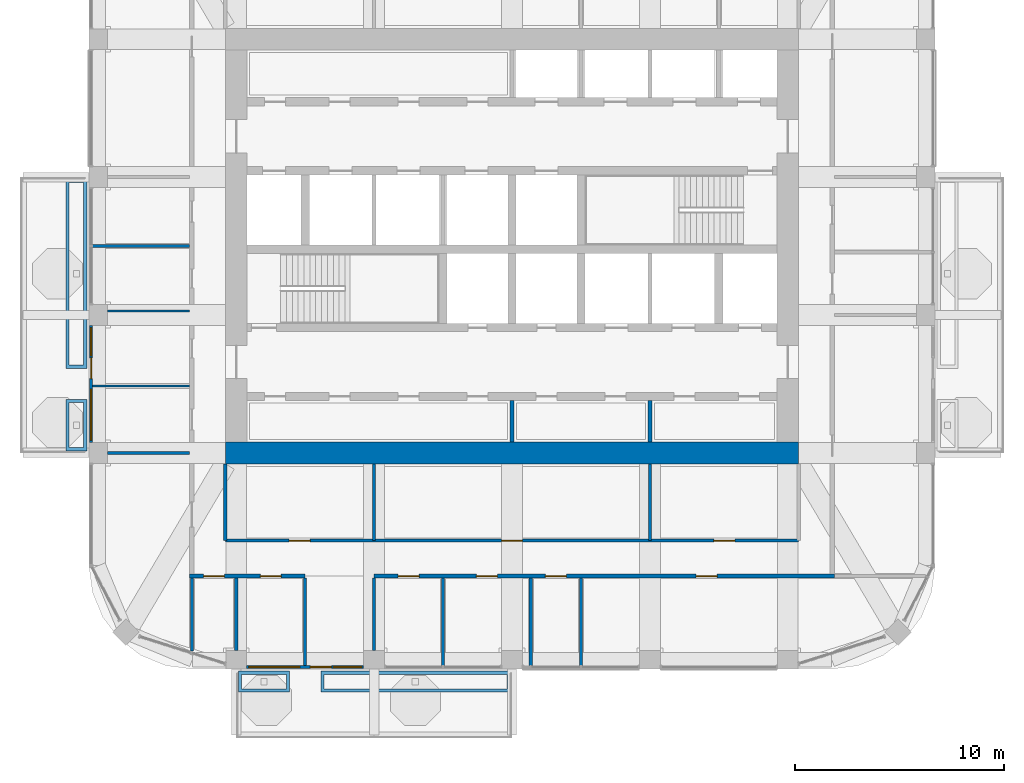
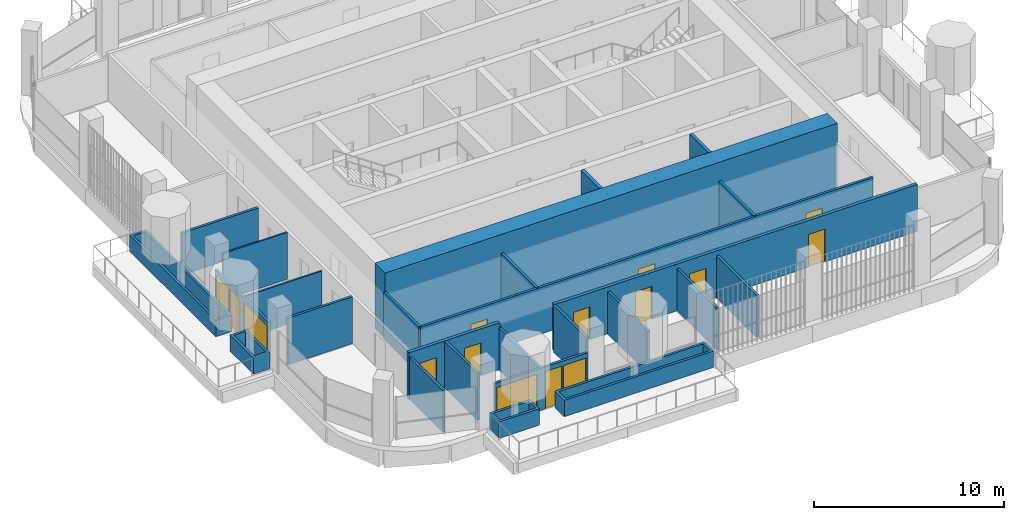
# One storey, part 12 of 19: 26 walls, 11 doors, 4 windows, 15 openings.
"""IFC4 building model written with IfcOpenShell, lengths in metres."""

from ifc_helpers import new_model, si_unit, direction, frame, frame_2d, origin, place, context, subcontext, project, spatial, polyline, rectangle, outline, extrude, material, layer, layer_set, type_object, element, fill, save


model = new_model("IFC4")

# Units and contexts
model_context = context("Model", 3, precision=1e-05, world=origin(), true_north=direction((0.0, 1.0)))
body_context = subcontext(model_context, "Body", "Model", "MODEL_VIEW")
ifc_project = project(units=[si_unit("LENGTHUNIT", "METRE"), si_unit("AREAUNIT", "SQUARE_METRE"), si_unit("VOLUMEUNIT", "CUBIC_METRE"), si_unit("PLANEANGLEUNIT", "RADIAN"), si_unit("MASSUNIT", "GRAM", prefix="KILO")], contexts=[model_context])

# Site, building, storey
site_placement = place(None, origin())
site = spatial("IfcSite", under=ifc_project, at=site_placement, CompositionType="ELEMENT")
building_placement = place(site_placement, origin())
building = spatial("IfcBuilding", under=site, at=building_placement, Name="Cobogo Forest Laboratory Tower", CompositionType="ELEMENT")
storey_placement = place(building_placement, frame((0.0, 0.0, 262.800048828125)))
storey = spatial("IfcBuildingStorey", under=building, at=storey_placement, Name="L60", CompositionType="ELEMENT", Elevation=262.800048828125)

# Wall
ifc_material_1 = material(Name="Concrete HA-50 (C50/60)", Category="concrete")
ifc_layer_1 = layer(ifc_material_1, 1.050048828125)
ifc_layer_set_1 = layer_set([ifc_layer_1], Name="CW1050 core outer wall 1050")
wall_type_1 = type_object("IfcWallType", Name="CW1050 core outer wall 1050", PredefinedType="SHEAR", material=ifc_layer_set_1)
wall_1_placement = place(storey_placement, frame((12.675048828125, 13.199951171875, 0.0), z_axis=(0.0, 0.0, 1.0), x_axis=(1.0, 0.0, 0.0)))
element("IfcWall", 1, at=wall_1_placement, inside=storey, type_object=wall_type_1, Name="Core wall CO-S L60", PredefinedType="SHEAR", context=body_context, shape_type="SweptSolid", body=[
    extrude(rectangle(XDim=27.449951171875, YDim=1.050048828125, at=frame_2d((13.72509765625, 0.0))), origin(), (0.0, 0.0, 1.0), 4.199951171875),
])

# Wall, openings, door, windows
ifc_material_2 = material(Name="Aluminium framed glazed screen", Category="aluminium")
ifc_layer_2 = layer(ifc_material_2, 0.14990234375)
ifc_layer_set_2 = layer_set([ifc_layer_2], Name="GS1 glazed door screen 150")
wall_type_2 = type_object("IfcWallType", Name="GS1 glazed door screen 150", PredefinedType="SOLIDWALL", material=ifc_layer_set_2)
wall_2_placement = place(storey_placement, frame((13.699951171875, 2.949951171875, 0.0), z_axis=(0.0, 0.0, 1.0), x_axis=(1.0, 0.0, 0.0)))
wall_2 = element("IfcWall", 2, at=wall_2_placement, inside=storey, type_object=wall_type_2, Name="Door screen BAL-S1 L60", PredefinedType="SOLIDWALL", context=body_context, shape_type="SweptSolid", body=[
    extrude(rectangle(XDim=5.60009765625, YDim=0.14990234375, at=frame_2d((2.800048828125, 0.0))), origin(), (0.0, 0.0, 1.0), 2.699951171875),
])
opening_1_placement = place(wall_2_placement, frame((3.050048828125, 0.0, 0.0)))
opening_1 = element("IfcOpeningElement", 3, at=opening_1_placement, cuts=wall_2, Name="Opening L60-D01", PredefinedType="OPENING", context=body_context, shape_type="SweptSolid", body=[
    extrude(rectangle(XDim=1.0, YDim=2.39990234375, at=frame_2d((0.5, 1.199951171875))), frame((0.0, 0.0849609375, 0.0), z_axis=(0.0, -1.0, 0.0), x_axis=(1.0, 0.0, 0.0)), (0.0, 0.0, 1.0), 0.169921875),
])
opening_2_placement = place(wall_2_placement, frame((0.10009765625, 0.0, 0.10009765625)))
opening_2 = element("IfcOpeningElement", 4, at=opening_2_placement, cuts=wall_2, Name="Opening L60-W01", PredefinedType="OPENING", context=body_context, shape_type="SweptSolid", body=[
    extrude(rectangle(XDim=2.449951171875, YDim=2.300048828125, at=frame_2d((1.22509765625, 1.14990234375))), frame((0.0, 0.0849609375, 0.0), z_axis=(0.0, -1.0, 0.0), x_axis=(1.0, 0.0, 0.0)), (0.0, 0.0, 1.0), 0.169921875),
])
opening_3_placement = place(wall_2_placement, frame((4.14990234375, 0.0, 0.10009765625)))
opening_3 = element("IfcOpeningElement", 5, at=opening_3_placement, cuts=wall_2, Name="Opening L60-W02", PredefinedType="OPENING", context=body_context, shape_type="SweptSolid", body=[
    extrude(rectangle(XDim=1.35009765625, YDim=2.300048828125, at=frame_2d((0.675048828125, 1.14990234375))), frame((0.0, 0.0849609375, 0.0), z_axis=(0.0, -1.0, 0.0), x_axis=(1.0, 0.0, 0.0)), (0.0, 0.0, 1.0), 0.169921875),
])
ifc_material_3 = material(Name="Aluminium glazed door", Category="aluminium")
door_type_1 = type_object("IfcDoorType", Name="DB1 balcony door 1000 glazed", OperationType="SINGLE_SWING_LEFT", PredefinedType="DOOR", material=ifc_material_3)
door_1_placement = place(opening_1_placement, origin())
door_1 = element("IfcDoor", 6, at=door_1_placement, inside=storey, type_object=door_type_1, Name="Door L60-BAL-S1", OperationType="SINGLE_SWING_RIGHT", OverallHeight=2.39990234375, OverallWidth=1.0, PredefinedType="DOOR", context=body_context, shape_type="SweptSolid", body=[
    extrude(rectangle(XDim=1.0, YDim=2.39990234375, at=frame_2d((0.5, 1.199951171875))), frame((0.0, 0.02490234375, 0.0), z_axis=(0.0, -1.0, 0.0), x_axis=(1.0, 0.0, 0.0)), (0.0, 0.0, 1.0), 0.050048828125),
])
fill(opening_1, door_1)
ifc_material_4 = material(Name="Aluminium framed glazing", Category="aluminium")
window_type_1 = type_object("IfcWindowType", Name="WG23 fixed glazed light 2450x2300", PartitioningType="SINGLE_PANEL", PredefinedType="WINDOW", material=ifc_material_4)
window_1_placement = place(opening_2_placement, origin())
window_1 = element("IfcWindow", 7, at=window_1_placement, inside=storey, type_object=window_type_1, Name="Window L60-BAL-S1-1", OverallHeight=2.300048828125, OverallWidth=2.449951171875, PartitioningType="SINGLE_PANEL", PredefinedType="WINDOW", context=body_context, shape_type="SweptSolid", body=[
    extrude(rectangle(XDim=2.449951171875, YDim=2.300048828125, at=frame_2d((1.22509765625, 1.14990234375))), frame((0.0, 0.030029296875, 0.0), z_axis=(0.0, -1.0, 0.0), x_axis=(1.0, 0.0, 0.0)), (0.0, 0.0, 1.0), 0.06005859375),
])
fill(opening_2, window_1)
window_type_2 = type_object("IfcWindowType", Name="WG24 fixed glazed light 1350x2300", PartitioningType="SINGLE_PANEL", PredefinedType="WINDOW", material=ifc_material_4)
window_2_placement = place(opening_3_placement, origin())
window_2 = element("IfcWindow", 8, at=window_2_placement, inside=storey, type_object=window_type_2, Name="Window L60-BAL-S1-2", OverallHeight=2.300048828125, OverallWidth=1.35009765625, PartitioningType="SINGLE_PANEL", PredefinedType="WINDOW", context=body_context, shape_type="SweptSolid", body=[
    extrude(rectangle(XDim=1.35009765625, YDim=2.300048828125, at=frame_2d((0.675048828125, 1.14990234375))), frame((0.0, 0.030029296875, 0.0), z_axis=(0.0, -1.0, 0.0), x_axis=(1.0, 0.0, 0.0)), (0.0, 0.0, 1.0), 0.06005859375),
])
fill(opening_3, window_2)

wall_3_placement = place(storey_placement, frame((6.25, 19.300048828125, 0.0), z_axis=(0.0, 0.0, 1.0), x_axis=(0.0, -1.0, 0.0)))
wall_3 = element("IfcWall", 9, at=wall_3_placement, inside=storey, type_object=wall_type_2, Name="Door screen BAL-W1 L60", PredefinedType="SOLIDWALL", context=body_context, shape_type="SweptSolid", body=[
    extrude(rectangle(XDim=5.60009765625, YDim=0.14990234375, at=frame_2d((2.800048828125, 0.0))), origin(), (0.0, 0.0, 1.0), 2.699951171875),
])
opening_4_placement = place(wall_3_placement, frame((1.550048828125, 0.0, 0.0)))
opening_4 = element("IfcOpeningElement", 10, at=opening_4_placement, cuts=wall_3, Name="Opening L60-D22", PredefinedType="OPENING", context=body_context, shape_type="SweptSolid", body=[
    extrude(rectangle(XDim=1.0, YDim=2.39990234375, at=frame_2d((0.5, 1.199951171875))), frame((0.0, 0.0849609375, 0.0), z_axis=(0.0, -1.0, 0.0), x_axis=(1.0, 0.0, 0.0)), (0.0, 0.0, 1.0), 0.169921875),
])
opening_5_placement = place(wall_3_placement, frame((0.10009765625, 0.0, 0.10009765625)))
opening_5 = element("IfcOpeningElement", 11, at=opening_5_placement, cuts=wall_3, Name="Opening L60-W05", PredefinedType="OPENING", context=body_context, shape_type="SweptSolid", body=[
    extrude(rectangle(XDim=1.35009765625, YDim=2.300048828125, at=frame_2d((0.675048828125, 1.14990234375))), frame((0.0, 0.0849609375, 0.0), z_axis=(0.0, -1.0, 0.0), x_axis=(1.0, 0.0, 0.0)), (0.0, 0.0, 1.0), 0.169921875),
])
opening_6_placement = place(wall_3_placement, frame((3.050048828125, 0.0, 0.10009765625)))
opening_6 = element("IfcOpeningElement", 12, at=opening_6_placement, cuts=wall_3, Name="Opening L60-W03", PredefinedType="OPENING", context=body_context, shape_type="SweptSolid", body=[
    extrude(rectangle(XDim=2.449951171875, YDim=2.300048828125, at=frame_2d((1.22509765625, 1.14990234375))), frame((0.0, 0.0849609375, 0.0), z_axis=(0.0, -1.0, 0.0), x_axis=(1.0, 0.0, 0.0)), (0.0, 0.0, 1.0), 0.169921875),
])
door_2_placement = place(opening_4_placement, origin())
door_2 = element("IfcDoor", 13, at=door_2_placement, inside=storey, type_object=door_type_1, Name="Door L60-BAL-W1", OperationType="SINGLE_SWING_LEFT", OverallHeight=2.39990234375, OverallWidth=1.0, PredefinedType="DOOR", context=body_context, shape_type="SweptSolid", body=[
    extrude(rectangle(XDim=1.0, YDim=2.39990234375, at=frame_2d((0.5, 1.199951171875))), frame((0.0, 0.02490234375, 0.0), z_axis=(0.0, -1.0, 0.0), x_axis=(1.0, 0.0, 0.0)), (0.0, 0.0, 1.0), 0.050048828125),
])
fill(opening_4, door_2)
window_3_placement = place(opening_6_placement, origin())
window_3 = element("IfcWindow", 14, at=window_3_placement, inside=storey, type_object=window_type_1, Name="Window L60-BAL-W1-2", OverallHeight=2.300048828125, OverallWidth=2.449951171875, PartitioningType="SINGLE_PANEL", PredefinedType="WINDOW", context=body_context, shape_type="SweptSolid", body=[
    extrude(rectangle(XDim=2.449951171875, YDim=2.300048828125, at=frame_2d((1.22509765625, 1.14990234375))), frame((0.0, 0.030029296875, 0.0), z_axis=(0.0, -1.0, 0.0), x_axis=(1.0, 0.0, 0.0)), (0.0, 0.0, 1.0), 0.06005859375),
])
fill(opening_6, window_3)
window_4_placement = place(opening_5_placement, origin())
window_4 = element("IfcWindow", 15, at=window_4_placement, inside=storey, type_object=window_type_2, Name="Window L60-BAL-W1-1", OverallHeight=2.300048828125, OverallWidth=1.35009765625, PartitioningType="SINGLE_PANEL", PredefinedType="WINDOW", context=body_context, shape_type="SweptSolid", body=[
    extrude(rectangle(XDim=1.35009765625, YDim=2.300048828125, at=frame_2d((0.675048828125, 1.14990234375))), frame((0.0, 0.030029296875, 0.0), z_axis=(0.0, -1.0, 0.0), x_axis=(1.0, 0.0, 0.0)), (0.0, 0.0, 1.0), 0.06005859375),
])
fill(opening_5, window_4)

# Wall, openings, doors
ifc_material_5 = material(Name="Gypsum board on steel studs", Category="steel")
ifc_layer_3 = layer(ifc_material_5, 0.14990234375)
ifc_layer_set_3 = layer_set([ifc_layer_3], Name="PT1 laboratory partition 150")
wall_type_3 = type_object("IfcWallType", Name="PT1 laboratory partition 150", PredefinedType="PARTITIONING", material=ifc_layer_set_3)
wall_4_placement = place(storey_placement, frame((12.675048828125, 9.0, 0.0), z_axis=(0.0, 0.0, 1.0), x_axis=(1.0, 0.0, 0.0)))
wall_4 = element("IfcWall", 16, at=wall_4_placement, inside=storey, type_object=wall_type_3, Name="Partition CSTRIP-S L60", PredefinedType="PARTITIONING", context=body_context, shape_type="SweptSolid", body=[
    extrude(rectangle(XDim=27.449951171875, YDim=0.14990234375, at=frame_2d((13.72509765625, 0.0))), origin(), (0.0, 0.0, 1.0), 3.0),
])
opening_7_placement = place(wall_4_placement, frame((3.0625, 0.0, 0.0)))
opening_7 = element("IfcOpeningElement", 17, at=opening_7_placement, cuts=wall_4, Name="Opening L60-D08", PredefinedType="OPENING", context=body_context, shape_type="SweptSolid", body=[
    extrude(rectangle(XDim=1.0, YDim=2.10009765625, at=frame_2d((0.5, 1.050048828125))), frame((0.0, 0.0849609375, 0.0), z_axis=(0.0, -1.0, 0.0), x_axis=(1.0, 0.0, 0.0)), (0.0, 0.0, 1.0), 0.169921875),
])
opening_8_placement = place(wall_4_placement, frame((13.22509765625, 0.0, 0.0)))
opening_8 = element("IfcOpeningElement", 18, at=opening_8_placement, cuts=wall_4, Name="Opening L60-D09", PredefinedType="OPENING", context=body_context, shape_type="SweptSolid", body=[
    extrude(rectangle(XDim=1.0, YDim=2.10009765625, at=frame_2d((0.5, 1.050048828125))), frame((0.0, 0.0849609375, 0.0), z_axis=(0.0, -1.0, 0.0), x_axis=(1.0, 0.0, 0.0)), (0.0, 0.0, 1.0), 0.169921875),
])
opening_9_placement = place(wall_4_placement, frame((23.387451171875, 0.0, 0.0)))
opening_9 = element("IfcOpeningElement", 19, at=opening_9_placement, cuts=wall_4, Name="Opening L60-D10", PredefinedType="OPENING", context=body_context, shape_type="SweptSolid", body=[
    extrude(rectangle(XDim=1.0, YDim=2.10009765625, at=frame_2d((0.5, 1.050048828125))), frame((0.0, 0.0849609375, 0.0), z_axis=(0.0, -1.0, 0.0), x_axis=(1.0, 0.0, 0.0)), (0.0, 0.0, 1.0), 0.169921875),
])
ifc_material_6 = material(Name="Timber fire door", Category="wood")
door_type_2 = type_object("IfcDoorType", Name="FD2 fire door 1000 EI2 30", OperationType="SINGLE_SWING_LEFT", PredefinedType="DOOR", material=ifc_material_6)
door_3_placement = place(opening_7_placement, origin())
door_3 = element("IfcDoor", 20, at=door_3_placement, inside=storey, type_object=door_type_2, Name="Door L60-CSS1", OperationType="SINGLE_SWING_LEFT", OverallHeight=2.10009765625, OverallWidth=1.0, PredefinedType="DOOR", context=body_context, shape_type="SweptSolid", body=[
    extrude(rectangle(XDim=1.0, YDim=2.10009765625, at=frame_2d((0.5, 1.050048828125))), frame((0.0, 0.02490234375, 0.0), z_axis=(0.0, -1.0, 0.0), x_axis=(1.0, 0.0, 0.0)), (0.0, 0.0, 1.0), 0.050048828125),
])
fill(opening_7, door_3)
door_4_placement = place(opening_8_placement, origin())
door_4 = element("IfcDoor", 21, at=door_4_placement, inside=storey, type_object=door_type_2, Name="Door L60-CSS2", OperationType="SINGLE_SWING_RIGHT", OverallHeight=2.10009765625, OverallWidth=1.0, PredefinedType="DOOR", context=body_context, shape_type="SweptSolid", body=[
    extrude(rectangle(XDim=1.0, YDim=2.10009765625, at=frame_2d((0.5, 1.050048828125))), frame((0.0, 0.02490234375, 0.0), z_axis=(0.0, -1.0, 0.0), x_axis=(1.0, 0.0, 0.0)), (0.0, 0.0, 1.0), 0.050048828125),
])
fill(opening_8, door_4)
door_5_placement = place(opening_9_placement, origin())
door_5 = element("IfcDoor", 22, at=door_5_placement, inside=storey, type_object=door_type_2, Name="Door L60-CSS3", OperationType="SINGLE_SWING_RIGHT", OverallHeight=2.10009765625, OverallWidth=1.0, PredefinedType="DOOR", context=body_context, shape_type="SweptSolid", body=[
    extrude(rectangle(XDim=1.0, YDim=2.10009765625, at=frame_2d((0.5, 1.050048828125))), frame((0.0, 0.02490234375, 0.0), z_axis=(0.0, -1.0, 0.0), x_axis=(1.0, 0.0, 0.0)), (0.0, 0.0, 1.0), 0.050048828125),
])
fill(opening_9, door_5)

# Walls
for number, where, z_axis, x_axis, name in (
    (23, (12.675048828125, 12.675048828125, 0.0), (0.0, 0.0, 1.0), (0.0, -1.0, 0.0), "Partition CSTRIP-SW L60"),
    (24, (19.800048828125, 12.675048828125, 0.0), (0.0, 0.0, 1.0), (0.0, -1.0, 0.0), "Partition CSTRIP-S19.8 L60"),
    (25, (33.0, 12.675048828125, 0.0), (0.0, 0.0, 1.0), (0.0, -1.0, 0.0), "Partition CSTRIP-S33 L60"),
):
    element("IfcWall", number, at=place(storey_placement, frame(where, z_axis=z_axis, x_axis=x_axis)), inside=storey, type_object=wall_type_3, Name=name, PredefinedType="PARTITIONING", context=body_context, shape_type="SweptSolid", body=[
        extrude(rectangle(XDim=3.675048828125, YDim=0.14990234375, at=frame_2d((1.83740234375, 0.0))), origin(), (0.0, 0.0, 1.0), 3.0),
    ])
wall_5_placement = place(storey_placement, frame((11.074951171875, 3.705078125, 0.0), z_axis=(0.0, 0.0, 1.0), x_axis=(0.0, 1.0, 0.0)))
element("IfcWall", 26, at=wall_5_placement, inside=storey, type_object=wall_type_3, Name="Partition PW-SW L60", PredefinedType="PARTITIONING", context=body_context, shape_type="SweptSolid", body=[
    extrude(rectangle(XDim=3.494873046875, YDim=0.14990234375, at=frame_2d((1.74755859375, 0.0))), origin(), (0.0, 0.0, 1.0), 2.699951171875),
])
for number, where, z_axis, x_axis, name in (
    (27, (27.300048828125, 3.030029296875, 0.0), (0.0, 0.0, 1.0), (0.0, 1.0, 0.0), "Partition SVC-S1-1 L60"),
    (28, (29.699951171875, 3.030029296875, 0.0), (0.0, 0.0, 1.0), (0.0, 1.0, 0.0), "Partition SVC-S2-1 L60"),
):
    element("IfcWall", number, at=place(storey_placement, frame(where, z_axis=z_axis, x_axis=x_axis)), inside=storey, type_object=wall_type_3, Name=name, PredefinedType="PARTITIONING", context=body_context, shape_type="SweptSolid", body=[
        extrude(rectangle(XDim=4.169921875, YDim=0.14990234375, at=frame_2d((2.0849609375, 0.0))), origin(), (0.0, 0.0, 1.0), 2.699951171875),
    ])
wall_6_placement = place(storey_placement, frame((13.199951171875, 3.75, 0.0), z_axis=(0.0, 0.0, 1.0), x_axis=(0.0, 1.0, 0.0)))
element("IfcWall", 29, at=wall_6_placement, inside=storey, type_object=wall_type_3, Name="Partition CUT-S13.2-1 L60", PredefinedType="PARTITIONING", context=body_context, shape_type="SweptSolid", body=[
    extrude(rectangle(XDim=3.449951171875, YDim=0.14990234375, at=frame_2d((1.72509765625, 0.0))), origin(), (0.0, 0.0, 1.0), 3.0),
])
wall_7_placement = place(storey_placement, frame((16.5, 3.030029296875, 0.0), z_axis=(0.0, 0.0, 1.0), x_axis=(0.0, 1.0, 0.0)))
element("IfcWall", 30, at=wall_7_placement, inside=storey, type_object=wall_type_3, Name="Partition CUT-S16.5-1 L60", PredefinedType="PARTITIONING", context=body_context, shape_type="SweptSolid", body=[
    extrude(rectangle(XDim=4.169921875, YDim=0.14990234375, at=frame_2d((2.0849609375, 0.0))), origin(), (0.0, 0.0, 1.0), 2.699951171875),
])
wall_8_placement = place(storey_placement, frame((19.800048828125, 3.75, 0.0), z_axis=(0.0, 0.0, 1.0), x_axis=(0.0, 1.0, 0.0)))
element("IfcWall", 31, at=wall_8_placement, inside=storey, type_object=wall_type_3, Name="Partition CUT-S19.8-1 L60", PredefinedType="PARTITIONING", context=body_context, shape_type="SweptSolid", body=[
    extrude(rectangle(XDim=3.449951171875, YDim=0.14990234375, at=frame_2d((1.72509765625, 0.0))), origin(), (0.0, 0.0, 1.0), 3.0),
])
wall_9_placement = place(storey_placement, frame((23.10009765625, 3.030029296875, 0.0), z_axis=(0.0, 0.0, 1.0), x_axis=(0.0, 1.0, 0.0)))
element("IfcWall", 32, at=wall_9_placement, inside=storey, type_object=wall_type_3, Name="Partition CUT-S23.1-1 L60", PredefinedType="PARTITIONING", context=body_context, shape_type="SweptSolid", body=[
    extrude(rectangle(XDim=4.169921875, YDim=0.14990234375, at=frame_2d((2.0849609375, 0.0))), origin(), (0.0, 0.0, 1.0), 2.699951171875),
])
wall_10_placement = place(storey_placement, frame((6.330078125, 23.10009765625, 0.0), z_axis=(0.0, 0.0, 1.0), x_axis=(1.0, 0.0, 0.0)))
element("IfcWall", 33, at=wall_10_placement, inside=storey, type_object=wall_type_3, Name="Partition SVC-W3-1 L60", PredefinedType="PARTITIONING", context=body_context, shape_type="SweptSolid", body=[
    extrude(rectangle(XDim=4.64501953125, YDim=0.14990234375, at=frame_2d((2.322509765625, 0.0))), origin(), (0.0, 0.0, 1.0), 2.699951171875),
])
wall_11_placement = place(storey_placement, frame((7.050048828125, 13.199951171875, 0.0), z_axis=(0.0, 0.0, 1.0), x_axis=(1.0, 0.0, 0.0)))
element("IfcWall", 34, at=wall_11_placement, inside=storey, type_object=wall_type_3, Name="Partition CUT-W13.2-1 L60", PredefinedType="PARTITIONING", context=body_context, shape_type="SweptSolid", body=[
    extrude(rectangle(XDim=3.925048828125, YDim=0.14990234375, at=frame_2d((1.96240234375, 0.0))), origin(), (0.0, 0.0, 1.0), 3.0),
])

# Wall, openings, doors
ifc_layer_4 = layer(ifc_material_5, 0.199951171875)
ifc_layer_set_4 = layer_set([ifc_layer_4], Name="PT2 fire-rated corridor partition 200")
wall_type_4 = type_object("IfcWallType", Name="PT2 fire-rated corridor partition 200", PredefinedType="PARTITIONING", material=ifc_layer_set_4)
wall_12_placement = place(storey_placement, frame((10.97509765625, 7.300048828125, 0.0), z_axis=(0.0, 0.0, 1.0), x_axis=(1.0, 0.0, 0.0)))
wall_12 = element("IfcWall", 35, at=wall_12_placement, inside=storey, type_object=wall_type_4, Name="Partition CORR-S-1 L60", PredefinedType="PARTITIONING", context=body_context, shape_type="SweptSolid", body=[
    extrude(rectangle(XDim=5.52490234375, YDim=0.199951171875, at=frame_2d((2.762451171875, 0.0))), origin(), (0.0, 0.0, 1.0), 3.0),
])
opening_10_placement = place(wall_12_placement, frame((0.66259765625, 0.0, 0.0)))
opening_10 = element("IfcOpeningElement", 36, at=opening_10_placement, cuts=wall_12, Name="Opening L60-D02", PredefinedType="OPENING", context=body_context, shape_type="SweptSolid", body=[
    extrude(rectangle(XDim=1.0, YDim=2.10009765625, at=frame_2d((0.5, 1.050048828125))), frame((0.0, 0.10986328125, 0.0), z_axis=(0.0, -1.0, 0.0), x_axis=(1.0, 0.0, 0.0)), (0.0, 0.0, 1.0), 0.219970703125),
])
opening_11_placement = place(wall_12_placement, frame((3.375, 0.0, 0.0)))
opening_11 = element("IfcOpeningElement", 37, at=opening_11_placement, cuts=wall_12, Name="Opening L60-D03", PredefinedType="OPENING", context=body_context, shape_type="SweptSolid", body=[
    extrude(rectangle(XDim=1.0, YDim=2.10009765625, at=frame_2d((0.5, 1.050048828125))), frame((0.0, 0.10986328125, 0.0), z_axis=(0.0, -1.0, 0.0), x_axis=(1.0, 0.0, 0.0)), (0.0, 0.0, 1.0), 0.219970703125),
])
door_6_placement = place(opening_10_placement, origin())
door_6 = element("IfcDoor", 38, at=door_6_placement, inside=storey, type_object=door_type_2, Name="Door L60-S1", OperationType="SINGLE_SWING_LEFT", OverallHeight=2.10009765625, OverallWidth=1.0, PredefinedType="DOOR", context=body_context, shape_type="SweptSolid", body=[
    extrude(rectangle(XDim=1.0, YDim=2.10009765625, at=frame_2d((0.5, 1.050048828125))), frame((0.0, 0.02490234375, 0.0), z_axis=(0.0, -1.0, 0.0), x_axis=(1.0, 0.0, 0.0)), (0.0, 0.0, 1.0), 0.050048828125),
])
fill(opening_10, door_6)
door_7_placement = place(opening_11_placement, origin())
door_7 = element("IfcDoor", 39, at=door_7_placement, inside=storey, type_object=door_type_2, Name="Door L60-S2", OperationType="SINGLE_SWING_RIGHT", OverallHeight=2.10009765625, OverallWidth=1.0, PredefinedType="DOOR", context=body_context, shape_type="SweptSolid", body=[
    extrude(rectangle(XDim=1.0, YDim=2.10009765625, at=frame_2d((0.5, 1.050048828125))), frame((0.0, 0.02490234375, 0.0), z_axis=(0.0, -1.0, 0.0), x_axis=(1.0, 0.0, 0.0)), (0.0, 0.0, 1.0), 0.050048828125),
])
fill(opening_11, door_7)

wall_13_placement = place(storey_placement, frame((19.800048828125, 7.300048828125, 0.0), z_axis=(0.0, 0.0, 1.0), x_axis=(1.0, 0.0, 0.0)))
wall_13 = element("IfcWall", 40, at=wall_13_placement, inside=storey, type_object=wall_type_4, Name="Partition CORR-S-2 L60", PredefinedType="PARTITIONING", context=body_context, shape_type="SweptSolid", body=[
    extrude(rectangle(XDim=22.02490234375, YDim=0.199951171875, at=frame_2d((11.012451171875, 0.0))), origin(), (0.0, 0.0, 1.0), 3.0),
])
opening_12_placement = place(wall_13_placement, frame((1.14990234375, 0.0, 0.0)))
opening_12 = element("IfcOpeningElement", 41, at=opening_12_placement, cuts=wall_13, Name="Opening L60-D04", PredefinedType="OPENING", context=body_context, shape_type="SweptSolid", body=[
    extrude(rectangle(XDim=1.0, YDim=2.10009765625, at=frame_2d((0.5, 1.050048828125))), frame((0.0, 0.10986328125, 0.0), z_axis=(0.0, -1.0, 0.0), x_axis=(1.0, 0.0, 0.0)), (0.0, 0.0, 1.0), 0.219970703125),
])
opening_13_placement = place(wall_13_placement, frame((4.89990234375, 0.0, 0.0)))
opening_13 = element("IfcOpeningElement", 42, at=opening_13_placement, cuts=wall_13, Name="Opening L60-D05", PredefinedType="OPENING", context=body_context, shape_type="SweptSolid", body=[
    extrude(rectangle(XDim=1.0, YDim=2.10009765625, at=frame_2d((0.5, 1.050048828125))), frame((0.0, 0.10986328125, 0.0), z_axis=(0.0, -1.0, 0.0), x_axis=(1.0, 0.0, 0.0)), (0.0, 0.0, 1.0), 0.219970703125),
])
opening_14_placement = place(wall_13_placement, frame((8.199951171875, 0.0, 0.0)))
opening_14 = element("IfcOpeningElement", 43, at=opening_14_placement, cuts=wall_13, Name="Opening L60-D06", PredefinedType="OPENING", context=body_context, shape_type="SweptSolid", body=[
    extrude(rectangle(XDim=1.0, YDim=2.10009765625, at=frame_2d((0.5, 1.050048828125))), frame((0.0, 0.10986328125, 0.0), z_axis=(0.0, -1.0, 0.0), x_axis=(1.0, 0.0, 0.0)), (0.0, 0.0, 1.0), 0.219970703125),
])
opening_15_placement = place(wall_13_placement, frame((15.41259765625, 0.0, 0.0)))
opening_15 = element("IfcOpeningElement", 44, at=opening_15_placement, cuts=wall_13, Name="Opening L60-D07", PredefinedType="OPENING", context=body_context, shape_type="SweptSolid", body=[
    extrude(rectangle(XDim=1.0, YDim=2.10009765625, at=frame_2d((0.5, 1.050048828125))), frame((0.0, 0.10986328125, 0.0), z_axis=(0.0, -1.0, 0.0), x_axis=(1.0, 0.0, 0.0)), (0.0, 0.0, 1.0), 0.219970703125),
])
door_8_placement = place(opening_12_placement, origin())
door_8 = element("IfcDoor", 45, at=door_8_placement, inside=storey, type_object=door_type_2, Name="Door L60-S4", OperationType="SINGLE_SWING_LEFT", OverallHeight=2.10009765625, OverallWidth=1.0, PredefinedType="DOOR", context=body_context, shape_type="SweptSolid", body=[
    extrude(rectangle(XDim=1.0, YDim=2.10009765625, at=frame_2d((0.5, 1.050048828125))), frame((0.0, 0.02490234375, 0.0), z_axis=(0.0, -1.0, 0.0), x_axis=(1.0, 0.0, 0.0)), (0.0, 0.0, 1.0), 0.050048828125),
])
fill(opening_12, door_8)
door_9_placement = place(opening_13_placement, origin())
door_9 = element("IfcDoor", 46, at=door_9_placement, inside=storey, type_object=door_type_2, Name="Door L60-MTG", OperationType="SINGLE_SWING_LEFT", OverallHeight=2.10009765625, OverallWidth=1.0, PredefinedType="DOOR", context=body_context, shape_type="SweptSolid", body=[
    extrude(rectangle(XDim=1.0, YDim=2.10009765625, at=frame_2d((0.5, 1.050048828125))), frame((0.0, 0.02490234375, 0.0), z_axis=(0.0, -1.0, 0.0), x_axis=(1.0, 0.0, 0.0)), (0.0, 0.0, 1.0), 0.050048828125),
])
fill(opening_13, door_9)
door_10_placement = place(opening_14_placement, origin())
door_10 = element("IfcDoor", 47, at=door_10_placement, inside=storey, type_object=door_type_2, Name="Door L60-PAN", OperationType="SINGLE_SWING_LEFT", OverallHeight=2.10009765625, OverallWidth=1.0, PredefinedType="DOOR", context=body_context, shape_type="SweptSolid", body=[
    extrude(rectangle(XDim=1.0, YDim=2.10009765625, at=frame_2d((0.5, 1.050048828125))), frame((0.0, 0.02490234375, 0.0), z_axis=(0.0, -1.0, 0.0), x_axis=(1.0, 0.0, 0.0)), (0.0, 0.0, 1.0), 0.050048828125),
])
fill(opening_14, door_10)
door_11_placement = place(opening_15_placement, origin())
door_11 = element("IfcDoor", 48, at=door_11_placement, inside=storey, type_object=door_type_2, Name="Door L60-S5", OperationType="SINGLE_SWING_RIGHT", OverallHeight=2.10009765625, OverallWidth=1.0, PredefinedType="DOOR", context=body_context, shape_type="SweptSolid", body=[
    extrude(rectangle(XDim=1.0, YDim=2.10009765625, at=frame_2d((0.5, 1.050048828125))), frame((0.0, 0.02490234375, 0.0), z_axis=(0.0, -1.0, 0.0), x_axis=(1.0, 0.0, 0.0)), (0.0, 0.0, 1.0), 0.050048828125),
])
fill(opening_15, door_11)

# Walls
ifc_layer_5 = layer(ifc_material_5, 0.10009765625)
ifc_layer_set_5 = layer_set([ifc_layer_5], Name="PT3 toilet partition 100")
wall_type_5 = type_object("IfcWallType", Name="PT3 toilet partition 100", PredefinedType="PARTITIONING", material=ifc_layer_set_5)
wall_14_placement = place(storey_placement, frame((6.330078125, 16.39990234375, 0.0), z_axis=(0.0, 0.0, 1.0), x_axis=(1.0, 0.0, 0.0)))
element("IfcWall", 49, at=wall_14_placement, inside=storey, type_object=wall_type_5, Name="Partition SVC-W1-1 L60", PredefinedType="PARTITIONING", context=body_context, shape_type="SweptSolid", body=[
    extrude(rectangle(XDim=4.64501953125, YDim=0.10009765625, at=frame_2d((2.322509765625, 0.0))), origin(), (0.0, 0.0, 1.0), 2.699951171875),
])
wall_15_placement = place(storey_placement, frame((7.050048828125, 20.0, 0.0), z_axis=(0.0, 0.0, 1.0), x_axis=(1.0, 0.0, 0.0)))
element("IfcWall", 50, at=wall_15_placement, inside=storey, type_object=wall_type_5, Name="Partition SVC-W2-1 L60", PredefinedType="PARTITIONING", context=body_context, shape_type="SweptSolid", body=[
    extrude(rectangle(XDim=3.925048828125, YDim=0.10009765625, at=frame_2d((1.96240234375, 0.0))), origin(), (0.0, 0.0, 1.0), 3.0),
])
ifc_material_7 = material(Name="Concrete HA-40 (C40/50)", Category="concrete")
ifc_layer_6 = layer(ifc_material_7, 0.14990234375)
ifc_layer_set_6 = layer_set([ifc_layer_6], Name="Planter box 1000x1050")
wall_type_6 = type_object("IfcWallType", Name="Planter box 1000x1050", PredefinedType="USERDEFINED", material=ifc_layer_set_6)
wall_16_placement = place(storey_placement, origin())
element("IfcWall", 51, at=wall_16_placement, inside=storey, type_object=wall_type_6, Name="Planter BAL-S1-1 L60", ObjectType="PLANTER", PredefinedType="USERDEFINED", context=body_context, shape_type="SweptSolid", body=[
    extrude(outline(polyline([(13.300048828125, 1.75), (15.75, 1.75), (15.75, 2.75), (13.300048828125, 2.75), (13.300048828125, 1.75)]), holes=[polyline([(13.449951171875, 1.89990234375), (15.60009765625, 1.89990234375), (15.60009765625, 2.60009765625), (13.449951171875, 2.60009765625), (13.449951171875, 1.89990234375)])]), origin(), (0.0, 0.0, 1.0), 1.050048828125),
])
wall_17_placement = place(storey_placement, origin())
element("IfcWall", 52, at=wall_17_placement, inside=storey, type_object=wall_type_6, Name="Planter BAL-S1-2 L60", ObjectType="PLANTER", PredefinedType="USERDEFINED", context=body_context, shape_type="SweptSolid", body=[
    extrude(outline(polyline([(17.25, 1.75), (26.300048828125, 1.75), (26.300048828125, 2.75), (17.25, 2.75), (17.25, 1.75)]), holes=[polyline([(17.39990234375, 1.89990234375), (26.14990234375, 1.89990234375), (26.14990234375, 2.60009765625), (17.39990234375, 2.60009765625), (17.39990234375, 1.89990234375)])]), origin(), (0.0, 0.0, 1.0), 1.050048828125),
])
wall_18_placement = place(storey_placement, origin())
element("IfcWall", 53, at=wall_18_placement, inside=storey, type_object=wall_type_6, Name="Planter BAL-W1-1 L60", ObjectType="PLANTER", PredefinedType="USERDEFINED", context=body_context, shape_type="SweptSolid", body=[
    extrude(outline(polyline([(5.050048828125, 13.300048828125), (6.050048828125, 13.300048828125), (6.050048828125, 15.75), (5.050048828125, 15.75), (5.050048828125, 13.300048828125)]), holes=[polyline([(5.199951171875, 13.449951171875), (5.89990234375, 13.449951171875), (5.89990234375, 15.60009765625), (5.199951171875, 15.60009765625), (5.199951171875, 13.449951171875)])]), origin(), (0.0, 0.0, 1.0), 1.050048828125),
])
wall_19_placement = place(storey_placement, origin())
element("IfcWall", 54, at=wall_19_placement, inside=storey, type_object=wall_type_6, Name="Planter BAL-W1-2 L60", ObjectType="PLANTER", PredefinedType="USERDEFINED", context=body_context, shape_type="SweptSolid", body=[
    extrude(outline(polyline([(5.050048828125, 17.25), (6.050048828125, 17.25), (6.050048828125, 26.300048828125), (5.050048828125, 26.300048828125), (5.050048828125, 17.25)]), holes=[polyline([(5.199951171875, 17.39990234375), (5.89990234375, 17.39990234375), (5.89990234375, 26.14990234375), (5.199951171875, 26.14990234375), (5.199951171875, 17.39990234375)])]), origin(), (0.0, 0.0, 1.0), 1.050048828125),
])
ifc_material_8 = material(Name="Concrete block", Category="concrete")
ifc_layer_7 = layer(ifc_material_8, 0.199951171875)
ifc_layer_set_7 = layer_set([ifc_layer_7], Name="SW200 lift shaft separator 200")
wall_type_7 = type_object("IfcWallType", Name="SW200 lift shaft separator 200", PredefinedType="PARTITIONING", material=ifc_layer_set_7)
for number, where, z_axis, x_axis, name in (
    (55, (26.39990234375, 13.72509765625, 0.0), (0.0, 0.0, 1.0), (0.0, 1.0, 0.0), "Core wall SEP-S4 L60"),
    (56, (33.0, 13.72509765625, 0.0), (0.0, 0.0, 1.0), (0.0, 1.0, 0.0), "Core wall SEP-S6 L60"),
):
    element("IfcWall", number, at=place(storey_placement, frame(where, z_axis=z_axis, x_axis=x_axis)), inside=storey, type_object=wall_type_7, Name=name, PredefinedType="PARTITIONING", context=body_context, shape_type="SweptSolid", body=[
        extrude(rectangle(XDim=1.974853515625, YDim=0.199951171875, at=frame_2d((0.9873046875, 0.0))), origin(), (0.0, 0.0, 1.0), 4.199951171875),
    ])

save(model, "model.ifc")
